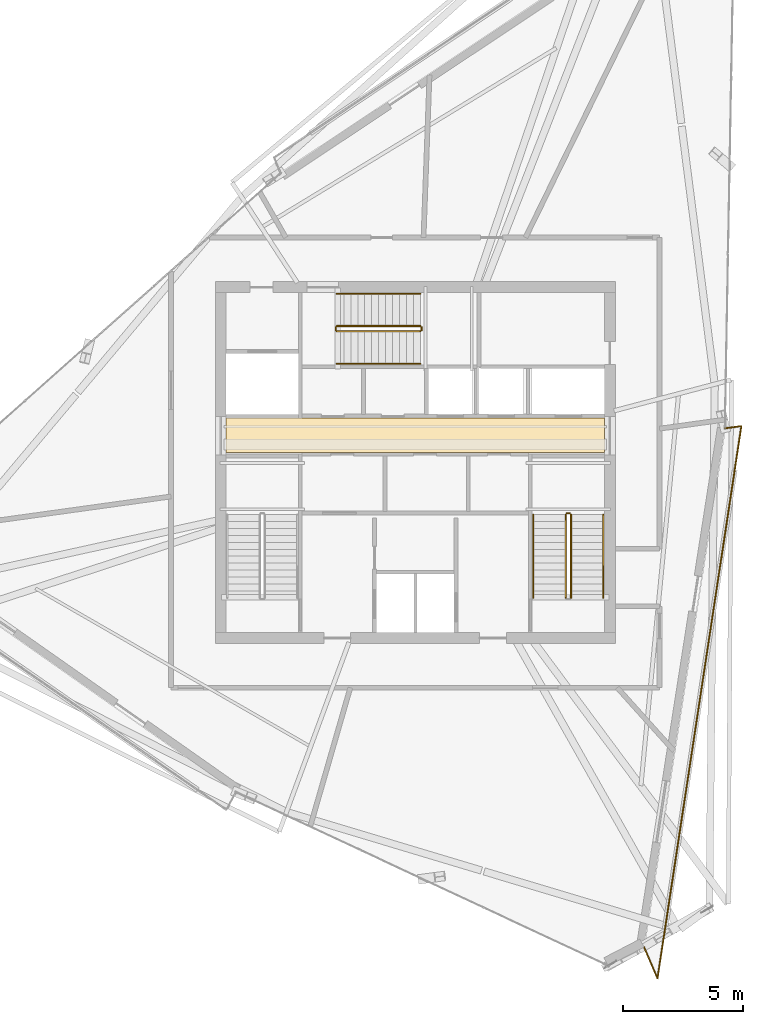
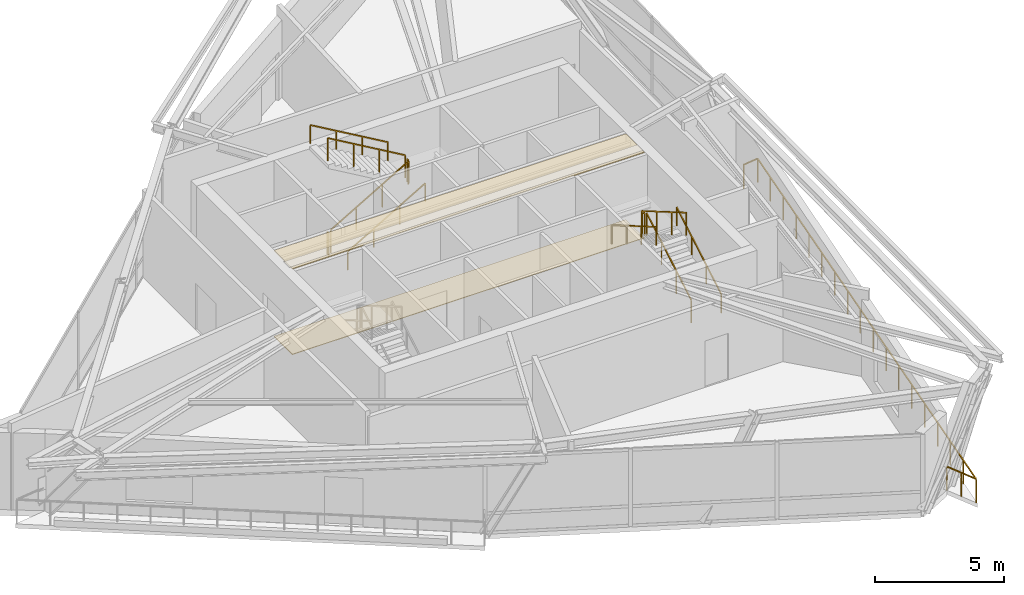
# One storey, part 21 of 22: 12 railings, 2 coverings.
"""IFC4 building model written with IfcOpenShell, lengths in metres."""

import ifcopenshell
import ifcopenshell.guid

model = None  # the IFC model being written
_history = None  # IfcOwnerHistory: only IFC2X3 demands one
_inside = {}  # id of a spatial element -> (the spatial element, [elements in it])
_under = {}  # id of a project, library or spatial element -> (it, [spatial elements below it])
_declared = {}  # id of a project -> (the project, [libraries it declares])
_typed = {}  # id of a type object -> (the type object, [elements of that type])
_made_of = {}  # id of a material, layer set ... -> (it, [elements and type objects made of it])


def new_model(schema):
    """Start an empty IFC model of exactly this schema.

    Asked for "IFC4X3", IfcOpenShell would pick the latest addendum, in which some entities
    have other attributes; the version numbers below select the first issue.
    IFC2X3 requires an IfcOwnerHistory on every rooted entity: one is made here for all.
    """
    global model, _history
    if schema == "IFC4X3":
        model = ifcopenshell.file(schema_version=(4, 3, 0, 0))
    else:
        model = ifcopenshell.file(schema=schema)
    _inside.clear()
    _under.clear()
    _declared.clear()
    _typed.clear()
    _made_of.clear()
    _history = None
    if model.schema == "IFC2X3":
        org = make("IfcOrganization", Name="unknown")
        user = make(
            "IfcPersonAndOrganization",
            ThePerson=make("IfcPerson", FamilyName="unknown"),
            TheOrganization=org,
        )
        app = make(
            "IfcApplication",
            ApplicationDeveloper=org,
            Version="unknown",
            ApplicationFullName="unknown",
            ApplicationIdentifier="unknown",
        )
        _history = make(
            "IfcOwnerHistory",
            OwningUser=user,
            OwningApplication=app,
            ChangeAction="ADDED",
            CreationDate=0,
        )
    return model


def make(cls, **values):
    """One entity of the class cls with the attributes given. An attribute that is None is left unset."""
    return model.create_entity(
        cls, **{name: value for name, value in values.items() if value is not None}
    )


def rooted(cls, **values):
    """An entity with a GlobalId (a new one), such as an element, a storey or a relation."""
    return make(cls, GlobalId=ifcopenshell.guid.new(), OwnerHistory=_history, **values)


def si_unit(unit_type, name, prefix=None):
    """IfcSIUnit, for example si_unit("LENGTHUNIT", "METRE", prefix="MILLI")."""
    return make("IfcSIUnit", UnitType=unit_type, Prefix=prefix, Name=name)


def assignment(units):
    """IfcUnitAssignment: the units of a project."""
    return None if units is None else make("IfcUnitAssignment", Units=units)


def point(xyz):
    """IfcCartesianPoint."""
    return None if xyz is None else make("IfcCartesianPoint", Coordinates=xyz)


def direction(xyz):
    """IfcDirection."""
    return None if xyz is None else make("IfcDirection", DirectionRatios=xyz)


def frame(location, z_axis=None, x_axis=None):
    """IfcAxis2Placement3D, a coordinate frame: its origin and axes. An axis left out is left unset."""
    return make(
        "IfcAxis2Placement3D",
        Location=point(location),
        Axis=direction(z_axis),
        RefDirection=direction(x_axis),
    )


def frame_2d(location, x_axis=None):
    """IfcAxis2Placement2D, a coordinate frame in the plane: its origin and x axis."""
    return make(
        "IfcAxis2Placement2D", Location=point(location), RefDirection=direction(x_axis)
    )


def origin():
    """The frame at (0, 0, 0) with its axes left unset."""
    return frame((0.0, 0.0, 0.0))


def origin_2d():
    """The frame at (0, 0) in the plane with its x axis left unset."""
    return frame_2d((0.0, 0.0))


def place(relative_to, where):
    """IfcLocalPlacement: puts the frame where relative to a parent placement (None: the world)."""
    return make(
        "IfcLocalPlacement", PlacementRelTo=relative_to, RelativePlacement=where
    )


def context(
    kind, dimensions, precision=None, world=None, true_north=None, identifier=None
):
    """IfcGeometricRepresentationContext, for example the 3D "Model" context."""
    return make(
        "IfcGeometricRepresentationContext",
        ContextIdentifier=identifier,
        ContextType=kind,
        CoordinateSpaceDimension=dimensions,
        Precision=precision,
        WorldCoordinateSystem=world,
        TrueNorth=true_north,
    )


def subcontext(parent, identifier, kind, view, scale=None):
    """IfcGeometricRepresentationSubContext, for example "Body" below "Model"."""
    return make(
        "IfcGeometricRepresentationSubContext",
        ContextIdentifier=identifier,
        ContextType=kind,
        ParentContext=parent,
        TargetScale=scale,
        TargetView=view,
    )


def project(units=None, contexts=None):
    """IfcProject with its units and contexts."""
    return rooted(
        "IfcProject",
        Name="project",
        RepresentationContexts=contexts,
        UnitsInContext=assignment(units),
    )


def spatial(cls, under=None, at=None, **own):
    """A site, building, storey or space (cls), placed at a placement, below another one or the project."""
    s = rooted(cls, ObjectPlacement=at, **own)
    if under is not None:
        _under.setdefault(under.id(), (under, []))[1].append(s)
    return s


def polyline(points):
    """IfcPolyline through the points."""
    return make("IfcPolyline", Points=[point(p) for p in points])


def profile(cls, at=None, kind="AREA", **sizes):
    """A parametric profile (cls). Its sizes go by their IFC names, for example OverallWidth=200.0."""
    return make(cls, ProfileType=kind, Position=at, **sizes)


def rectangle(**sizes):
    """IfcRectangleProfileDef."""
    return profile("IfcRectangleProfileDef", **sizes)


def outline(outer, holes=None, kind="AREA"):
    """IfcArbitraryClosedProfileDef: a profile drawn as a closed curve; with holes, ...WithVoids."""
    if holes is None:
        return make("IfcArbitraryClosedProfileDef", ProfileType=kind, OuterCurve=outer)
    return make(
        "IfcArbitraryProfileDefWithVoids",
        ProfileType=kind,
        OuterCurve=outer,
        InnerCurves=holes,
    )


def extrude(swept, where, along, depth):
    """IfcExtrudedAreaSolid: the profile swept, set in the frame where, extruded along a direction by depth."""
    return make(
        "IfcExtrudedAreaSolid",
        SweptArea=swept,
        Position=where,
        ExtrudedDirection=direction(along),
        Depth=depth,
    )


def shape(context_of_items, identifier, shape_type, items):
    """IfcShapeRepresentation: the items that make up one representation, for example the "Body"."""
    return make(
        "IfcShapeRepresentation",
        ContextOfItems=context_of_items,
        RepresentationIdentifier=identifier,
        RepresentationType=shape_type,
        Items=items,
    )


def material(Name=None, Category=None):
    """IfcMaterial."""
    return make("IfcMaterial", Name=Name, Category=Category)


def layer(
    of_material, thickness, ventilated=None, Name=None, Category=None, Priority=None
):
    """IfcMaterialLayer: one layer of a wall or slab, of a material (None: an air gap)."""
    return make(
        "IfcMaterialLayer",
        Material=of_material,
        LayerThickness=thickness,
        IsVentilated=ventilated,
        Name=Name,
        Category=Category,
        Priority=Priority,
    )


def layer_set(layers, Name=None):
    """IfcMaterialLayerSet."""
    return make("IfcMaterialLayerSet", MaterialLayers=layers, LayerSetName=Name)


def made_of(thing, what):
    """Note that an element or type object is made of a material, layer set ...; save() writes the relation."""
    if what is not None:
        _made_of.setdefault(what.id(), (what, []))[1].append(thing)
    return thing


def type_object(cls, material=None, **own):
    """A type object (cls), such as IfcWallType, which elements share."""
    return made_of(rooted(cls, **own), material)


def element(
    cls,
    number,
    at=None,
    inside=None,
    cuts=None,
    type_object=None,
    material=None,
    context=None,
    identifier="Body",
    shape_type=None,
    held_by="IfcProductDefinitionShape",
    body=None,
    shapes=None,
    **own,
):
    """One element of the class cls, such as IfcWall. Its Tag is "e" and its number.

    at: its placement. inside: the storey or other place that contains it. cuts: it is an
    opening in that element (IfcRelVoidsElement). A single representation is given by context,
    identifier, shape_type and body (its items); several are given by shapes. held_by: the class
    of the entity that holds the representations. save() writes the other relations.
    """
    e = rooted(cls, Tag="e%d" % number, ObjectPlacement=at, **own)
    if body is not None:
        shapes = [shape(context, identifier, shape_type, body)]
    if shapes is not None:
        e.Representation = make(held_by, Representations=shapes)
    if inside is not None:
        _inside.setdefault(inside.id(), (inside, []))[1].append(e)
    if cuts is not None:
        rooted(
            "IfcRelVoidsElement", RelatingBuildingElement=cuts, RelatedOpeningElement=e
        )
    if type_object is not None:
        _typed.setdefault(type_object.id(), (type_object, []))[1].append(e)
    return made_of(e, material)


def aggregate(whole, parts):
    """IfcRelAggregates: a whole, such as a stair, and the parts it consists of."""
    return rooted("IfcRelAggregates", RelatingObject=whole, RelatedObjects=parts)


def save(model, path):
    """Write the relations noted so far, then the file.

    IfcRelAggregates (storeys below a building ...), IfcRelContainedInSpatialStructure (elements
    in a storey), IfcRelDefinesByType, IfcRelAssociatesMaterial and IfcRelDeclares: one each for
    every whole, place, type object, material and project.
    """
    for whole, parts in _under.values():
        aggregate(whole, parts)
    for where, things in _inside.values():
        rooted(
            "IfcRelContainedInSpatialStructure",
            RelatedElements=things,
            RelatingStructure=where,
        )
    for kind, things in _typed.values():
        rooted("IfcRelDefinesByType", RelatedObjects=things, RelatingType=kind)
    for what, things in _made_of.values():
        rooted("IfcRelAssociatesMaterial", RelatedObjects=things, RelatingMaterial=what)
    for by, libraries in _declared.values():
        rooted("IfcRelDeclares", RelatingContext=by, RelatedDefinitions=libraries)
    model.write(path)


model = new_model("IFC4")

# Units and contexts
model_context = context("Model", 3, precision=1e-05, world=origin(), true_north=direction((0.0, 1.0)))
body_context = subcontext(model_context, "Body", "Model", "MODEL_VIEW")
ifc_project = project(units=[si_unit("LENGTHUNIT", "METRE"), si_unit("AREAUNIT", "SQUARE_METRE"), si_unit("VOLUMEUNIT", "CUBIC_METRE"), si_unit("PLANEANGLEUNIT", "RADIAN"), si_unit("MASSUNIT", "GRAM", prefix="KILO")], contexts=[model_context])

# Site, building, storey
site_placement = place(None, origin())
site = spatial("IfcSite", under=ifc_project, at=site_placement, CompositionType="ELEMENT")
building_placement = place(site_placement, origin())
building = spatial("IfcBuilding", under=site, at=building_placement, Name="Olszyna Solenne Hotel", CompositionType="ELEMENT")
storey_placement = place(building_placement, frame((0.0, 0.0, 286.10009765625)))
storey = spatial("IfcBuildingStorey", under=building, at=storey_placement, Name="L76", CompositionType="ELEMENT", Elevation=286.10009765625)

# Coverings
ifc_material_1 = material(Name="Mineral wool acoustic ceiling")
ifc_layer_1 = layer(ifc_material_1, 0.0400390625, Name="Mineral wool acoustic ceiling")
ifc_layer_set_1 = layer_set([ifc_layer_1], Name="Mineral wool acoustic ceiling")
covering_type_1 = type_object("IfcCoveringType", Name="CL-AC1", PredefinedType="CEILING", material=ifc_layer_set_1)
covering_1_placement = place(storey_placement, frame((0.0, 0.0, 4.059814453125)))
element("IfcCovering", 1, at=covering_1_placement, inside=storey, type_object=covering_type_1, Name="Lift lobby acoustic tile ceiling CL-L76-01", PredefinedType="CEILING", context=body_context, shape_type="SweptSolid", body=[
    extrude(outline(polyline([(30.10009765625, 27.030029296875), (45.89990234375, 27.030029296875), (45.89990234375, 28.4599609375), (30.10009765625, 28.4599609375), (30.10009765625, 27.030029296875)])), origin(), (0.0, 0.0, 1.0), 0.0400390625),
])
ifc_material_2 = material(Name="Ceramic floor tile")
ifc_layer_2 = layer(ifc_material_2, 0.030029296875, Name="Ceramic floor tile")
ifc_layer_set_2 = layer_set([ifc_layer_2], Name="Ceramic floor tile")
covering_type_2 = type_object("IfcCoveringType", Name="FL-TL1", PredefinedType="FLOORING", material=ifc_layer_set_2)
covering_2_placement = place(storey_placement, origin())
element("IfcCovering", 2, at=covering_2_placement, inside=storey, type_object=covering_type_2, Name="Lift lobby stoneware floor finish FLR-L76-01", PredefinedType="FLOORING", context=body_context, shape_type="SweptSolid", body=[
    extrude(outline(polyline([(30.10009765625, 27.030029296875), (45.89990234375, 27.030029296875), (45.89990234375, 28.4599609375), (30.10009765625, 28.4599609375), (30.10009765625, 27.030029296875)])), origin(), (0.0, 0.0, 1.0), 0.02978515625),
])

# Railings
ifc_material_3 = material(Name="Anodised bronze aluminium", Category="aluminium")
railing_type_1 = type_object("IfcRailingType", Name="GR-110", PredefinedType="BALUSTRADE", material=ifc_material_3)
railing_1_placement = place(storey_placement, frame((47.55029296875, 6.36767578125, 0.0)))
element("IfcRailing", 3, at=railing_1_placement, inside=storey, type_object=railing_type_1, Name="Loggia balcony balustrade guard GR-L76-LG3", PredefinedType="BALUSTRADE", context=body_context, shape_type="SweptSolid", body=[
    extrude(rectangle(XDim=0.048095703125, YDim=0.048095703125, at=origin_2d()), frame((0.0, 0.0, 1.1259765625), z_axis=(0.396534917553, -0.918019639856, 0.0), x_axis=(0.918019639856, 0.396534917553, 0.0)), (0.0, 0.0, 1.0), 1.41845703125),
    extrude(rectangle(XDim=0.048095703125, YDim=0.048095703125, at=origin_2d()), frame((0.5625, -1.30224609375, 1.1259765625), z_axis=(0.15018554572, 0.988657828501, 0.0), x_axis=(-0.988657828501, 0.15018554572, 0.0)), (0.0, 0.0, 1.0), 23.322509765625),
    extrude(rectangle(XDim=0.048095703125, YDim=0.048095703125, at=origin_2d()), frame((4.065185546875, 21.755615234375, 1.1259765625), z_axis=(-0.990856009296, -0.13492356667, 0.0), x_axis=(0.13492356667, -0.990856009296, 0.0)), (0.0, 0.0, 1.0), 0.689453125),
    extrude(rectangle(XDim=0.0419921875, YDim=0.0419921875, at=origin_2d()), origin(), (0.0, 0.0, 1.0), 1.101806640625),
    extrude(rectangle(XDim=0.0419921875, YDim=0.0419921875, at=origin_2d()), frame((0.28125, -0.651123046875, 0.0)), (0.0, 0.0, 1.0), 1.101806640625),
    extrude(rectangle(XDim=0.0419921875, YDim=0.0419921875, at=origin_2d()), frame((0.5625, -1.30224609375, 0.0)), (0.0, 0.0, 1.0), 1.101806640625),
    extrude(rectangle(XDim=0.0419921875, YDim=0.0419921875, at=origin_2d()), frame((0.7685546875, 0.05419921875, 0.0)), (0.0, 0.0, 1.0), 1.101806640625),
    extrude(rectangle(XDim=0.0419921875, YDim=0.0419921875, at=origin_2d()), frame((0.974609375, 1.410400390625, 0.0)), (0.0, 0.0, 1.0), 1.101806640625),
    extrude(rectangle(XDim=0.0419921875, YDim=0.0419921875, at=origin_2d()), frame((1.1806640625, 2.766845703125, 0.0)), (0.0, 0.0, 1.0), 1.101806640625),
    extrude(rectangle(XDim=0.0419921875, YDim=0.0419921875, at=origin_2d()), frame((1.38671875, 4.123046875, 0.0)), (0.0, 0.0, 1.0), 1.101806640625),
    extrude(rectangle(XDim=0.0419921875, YDim=0.0419921875, at=origin_2d()), frame((1.5927734375, 5.4794921875, 0.0)), (0.0, 0.0, 1.0), 1.101806640625),
    extrude(rectangle(XDim=0.0419921875, YDim=0.0419921875, at=origin_2d()), frame((1.798828125, 6.8359375, 0.0)), (0.0, 0.0, 1.0), 1.101806640625),
    extrude(rectangle(XDim=0.0419921875, YDim=0.0419921875, at=origin_2d()), frame((2.0048828125, 8.192138671875, 0.0)), (0.0, 0.0, 1.0), 1.101806640625),
    extrude(rectangle(XDim=0.0419921875, YDim=0.0419921875, at=origin_2d()), frame((2.2109375, 9.548583984375, 0.0)), (0.0, 0.0, 1.0), 1.101806640625),
    extrude(rectangle(XDim=0.0419921875, YDim=0.0419921875, at=origin_2d()), frame((2.416748046875, 10.90478515625, 0.0)), (0.0, 0.0, 1.0), 1.101806640625),
    extrude(rectangle(XDim=0.0419921875, YDim=0.0419921875, at=origin_2d()), frame((2.622802734375, 12.26123046875, 0.0)), (0.0, 0.0, 1.0), 1.101806640625),
    extrude(rectangle(XDim=0.0419921875, YDim=0.0419921875, at=origin_2d()), frame((2.828857421875, 13.617431640625, 0.0)), (0.0, 0.0, 1.0), 1.101806640625),
    extrude(rectangle(XDim=0.0419921875, YDim=0.0419921875, at=origin_2d()), frame((3.034912109375, 14.973876953125, 0.0)), (0.0, 0.0, 1.0), 1.101806640625),
    extrude(rectangle(XDim=0.0419921875, YDim=0.0419921875, at=origin_2d()), frame((3.240966796875, 16.330322265625, 0.0)), (0.0, 0.0, 1.0), 1.101806640625),
    extrude(rectangle(XDim=0.0419921875, YDim=0.0419921875, at=origin_2d()), frame((3.447021484375, 17.6865234375, 0.0)), (0.0, 0.0, 1.0), 1.101806640625),
    extrude(rectangle(XDim=0.0419921875, YDim=0.0419921875, at=origin_2d()), frame((3.653076171875, 19.04296875, 0.0)), (0.0, 0.0, 1.0), 1.101806640625),
    extrude(rectangle(XDim=0.0419921875, YDim=0.0419921875, at=origin_2d()), frame((3.859130859375, 20.399169921875, 0.0)), (0.0, 0.0, 1.0), 1.101806640625),
    extrude(rectangle(XDim=0.0419921875, YDim=0.0419921875, at=origin_2d()), frame((4.065185546875, 21.755615234375, 0.0)), (0.0, 0.0, 1.0), 1.101806640625),
    extrude(rectangle(XDim=0.0419921875, YDim=0.0419921875, at=origin_2d()), frame((3.382080078125, 21.66259765625, 0.0)), (0.0, 0.0, 1.0), 1.101806640625),
])
railing_2_placement = place(storey_placement, frame((44.5, 20.949951171875, 0.169189453125)))
element("IfcRailing", 4, at=railing_2_placement, inside=storey, type_object=railing_type_1, Name="L76 ST2 stair guard 1", PredefinedType="BALUSTRADE", context=body_context, shape_type="SweptSolid", body=[
    extrude(rectangle(XDim=0.048095703125, YDim=0.048095703125, at=origin_2d()), frame((0.0, 0.0, 1.076171875), z_axis=(0.0, 0.863695377172, 0.504014181796), x_axis=(-1.0, 0.0, 0.0)), (0.0, 0.0, 1.0), 4.029296875),
    extrude(rectangle(XDim=0.0419921875, YDim=0.0419921875, at=origin_2d()), origin(), (0.0, 0.0, 1.0), 1.052001953125),
    extrude(rectangle(XDim=0.0419921875, YDim=0.0419921875, at=origin_2d()), frame((0.0, 1.159912109375, 0.677001953125)), (0.0, 0.0, 1.0), 1.052001953125),
    extrude(rectangle(XDim=0.0419921875, YDim=0.0419921875, at=origin_2d()), frame((0.0, 2.320068359375, 1.353759765625)), (0.0, 0.0, 1.0), 1.052001953125),
    extrude(rectangle(XDim=0.0419921875, YDim=0.0419921875, at=origin_2d()), frame((0.0, 3.47998046875, 2.03076171875)), (0.0, 0.0, 1.0), 1.052001953125),
])
railing_3_placement = place(storey_placement, frame((44.449951171875, 24.47998046875, 2.199951171875)))
element("IfcRailing", 5, at=railing_3_placement, inside=storey, type_object=railing_type_1, Name="L76 ST2 stair guard 2", PredefinedType="BALUSTRADE", context=body_context, shape_type="SweptSolid", body=[
    extrude(rectangle(XDim=0.048095703125, YDim=0.048095703125, at=origin_2d()), frame((0.0, 0.0, 1.076171875), z_axis=(-1.0, 0.0, 0.0), x_axis=(0.0, -1.0, 0.0)), (0.0, 0.0, 1.0), 0.119873046875),
    extrude(rectangle(XDim=0.0419921875, YDim=0.0419921875, at=origin_2d()), origin(), (0.0, 0.0, 1.0), 1.052001953125),
    extrude(rectangle(XDim=0.0419921875, YDim=0.0419921875, at=origin_2d()), frame((-0.119873046875, 0.0, 0.0)), (0.0, 0.0, 1.0), 1.052001953125),
])
railing_4_placement = place(storey_placement, frame((44.280029296875, 24.429931640625, 2.369140625)))
element("IfcRailing", 6, at=railing_4_placement, inside=storey, type_object=railing_type_1, Name="L76 ST2 stair guard 3", PredefinedType="BALUSTRADE", context=body_context, shape_type="SweptSolid", body=[
    extrude(rectangle(XDim=0.048095703125, YDim=0.048095703125, at=origin_2d()), frame((0.0, 0.0, 1.076171875), z_axis=(0.0, -0.863695377172, 0.504014181796), x_axis=(1.0, 0.0, 0.0)), (0.0, 0.0, 1.0), 4.029296875),
    extrude(rectangle(XDim=0.0419921875, YDim=0.0419921875, at=origin_2d()), origin(), (0.0, 0.0, 1.0), 1.052001953125),
    extrude(rectangle(XDim=0.0419921875, YDim=0.0419921875, at=origin_2d()), frame((0.0, -1.159912109375, 0.677001953125)), (0.0, 0.0, 1.0), 1.052001953125),
    extrude(rectangle(XDim=0.0419921875, YDim=0.0419921875, at=origin_2d()), frame((0.0, -2.320068359375, 1.353759765625)), (0.0, 0.0, 1.0), 1.052001953125),
    extrude(rectangle(XDim=0.0419921875, YDim=0.0419921875, at=origin_2d()), frame((0.0, -3.47998046875, 2.03076171875)), (0.0, 0.0, 1.0), 1.052001953125),
])
railing_5_placement = place(storey_placement, frame((34.72998046875, 32.080078125, 0.169189453125)))
element("IfcRailing", 7, at=railing_5_placement, inside=storey, type_object=railing_type_1, Name="L76 ST3 stair guard 1", PredefinedType="BALUSTRADE", context=body_context, shape_type="SweptSolid", body=[
    extrude(rectangle(XDim=0.048095703125, YDim=0.048095703125, at=origin_2d()), frame((0.0, 0.0, 1.076171875), z_axis=(0.863695377172, 0.0, 0.504014181796), x_axis=(0.0, 1.0, 0.0)), (0.0, 0.0, 1.0), 4.029296875),
    extrude(rectangle(XDim=0.0419921875, YDim=0.0419921875, at=origin_2d()), origin(), (0.0, 0.0, 1.0), 1.052001953125),
    extrude(rectangle(XDim=0.0419921875, YDim=0.0419921875, at=origin_2d()), frame((1.159912109375, 0.0, 0.677001953125)), (0.0, 0.0, 1.0), 1.052001953125),
    extrude(rectangle(XDim=0.0419921875, YDim=0.0419921875, at=origin_2d()), frame((2.320068359375, 0.0, 1.353759765625)), (0.0, 0.0, 1.0), 1.052001953125),
    extrude(rectangle(XDim=0.0419921875, YDim=0.0419921875, at=origin_2d()), frame((3.47998046875, 0.0, 2.03076171875)), (0.0, 0.0, 1.0), 1.052001953125),
])
railing_6_placement = place(storey_placement, frame((38.260009765625, 32.1298828125, 2.199951171875)))
element("IfcRailing", 8, at=railing_6_placement, inside=storey, type_object=railing_type_1, Name="L76 ST3 stair guard 2", PredefinedType="BALUSTRADE", context=body_context, shape_type="SweptSolid", body=[
    extrude(rectangle(XDim=0.048095703125, YDim=0.048095703125, at=origin_2d()), frame((0.0, 0.0, 1.076171875), z_axis=(0.0, 1.0, 0.0), x_axis=(-1.0, 0.0, 0.0)), (0.0, 0.0, 1.0), 0.1201171875),
    extrude(rectangle(XDim=0.0419921875, YDim=0.0419921875, at=origin_2d()), origin(), (0.0, 0.0, 1.0), 1.052001953125),
    extrude(rectangle(XDim=0.0419921875, YDim=0.0419921875, at=origin_2d()), frame((0.0, 0.1201171875, 0.0)), (0.0, 0.0, 1.0), 1.052001953125),
])
railing_7_placement = place(storey_placement, frame((38.2099609375, 32.300048828125, 2.369140625)))
element("IfcRailing", 9, at=railing_7_placement, inside=storey, type_object=railing_type_1, Name="L76 ST3 stair guard 3", PredefinedType="BALUSTRADE", context=body_context, shape_type="SweptSolid", body=[
    extrude(rectangle(XDim=0.048095703125, YDim=0.048095703125, at=origin_2d()), frame((0.0, 0.0, 1.076171875), z_axis=(-0.863695377172, 0.0, 0.504014181796), x_axis=(0.0, -1.0, 0.0)), (0.0, 0.0, 1.0), 4.029296875),
    extrude(rectangle(XDim=0.0419921875, YDim=0.0419921875, at=origin_2d()), origin(), (0.0, 0.0, 1.0), 1.052001953125),
    extrude(rectangle(XDim=0.0419921875, YDim=0.0419921875, at=origin_2d()), frame((-1.159912109375, 0.0, 0.677001953125)), (0.0, 0.0, 1.0), 1.052001953125),
    extrude(rectangle(XDim=0.0419921875, YDim=0.0419921875, at=origin_2d()), frame((-2.320068359375, 0.0, 1.353759765625)), (0.0, 0.0, 1.0), 1.052001953125),
    extrude(rectangle(XDim=0.0419921875, YDim=0.0419921875, at=origin_2d()), frame((-3.47998046875, 0.0, 2.03076171875)), (0.0, 0.0, 1.0), 1.052001953125),
])
railing_8_placement = place(storey_placement, frame((34.679931640625, 32.1298828125, 0.0)))
element("IfcRailing", 10, at=railing_8_placement, inside=storey, type_object=railing_type_1, Name="L76 ST3 stair guard 4", PredefinedType="BALUSTRADE", context=body_context, shape_type="SweptSolid", body=[
    extrude(rectangle(XDim=0.048095703125, YDim=0.048095703125, at=origin_2d()), frame((0.0, 0.0, 1.076171875), z_axis=(0.0, 1.0, 0.0), x_axis=(-1.0, 0.0, 0.0)), (0.0, 0.0, 1.0), 0.1201171875),
    extrude(rectangle(XDim=0.0419921875, YDim=0.0419921875, at=origin_2d()), origin(), (0.0, 0.0, 1.0), 1.052001953125),
    extrude(rectangle(XDim=0.0419921875, YDim=0.0419921875, at=origin_2d()), frame((0.0, 0.1201171875, 0.0)), (0.0, 0.0, 1.0), 1.052001953125),
])
ifc_material_4 = material(Name="Steel S355J2", Category="steel")
railing_type_2 = type_object("IfcRailingType", Name="HR-090", PredefinedType="HANDRAIL", material=ifc_material_4)
railing_9_placement = place(storey_placement, frame((45.85009765625, 20.949951171875, 0.169189453125)))
element("IfcRailing", 11, at=railing_9_placement, inside=storey, type_object=railing_type_2, Name="L76 ST2 stair handrail 1", PredefinedType="HANDRAIL", context=body_context, shape_type="SweptSolid", body=[
    extrude(rectangle(XDim=0.048095703125, YDim=0.048095703125, at=origin_2d()), frame((0.0, 0.0, 0.8759765625), z_axis=(0.0, 0.863695377172, 0.504014181796), x_axis=(-1.0, 0.0, 0.0)), (0.0, 0.0, 1.0), 4.029296875),
    extrude(rectangle(XDim=0.0419921875, YDim=0.0419921875, at=origin_2d()), origin(), (0.0, 0.0, 1.0), 0.851806640625),
    extrude(rectangle(XDim=0.0419921875, YDim=0.0419921875, at=origin_2d()), frame((0.0, 1.159912109375, 0.677001953125)), (0.0, 0.0, 1.0), 0.851806640625),
    extrude(rectangle(XDim=0.0419921875, YDim=0.0419921875, at=origin_2d()), frame((0.0, 2.320068359375, 1.353759765625)), (0.0, 0.0, 1.0), 0.851806640625),
    extrude(rectangle(XDim=0.0419921875, YDim=0.0419921875, at=origin_2d()), frame((0.0, 3.47998046875, 2.03076171875)), (0.0, 0.0, 1.0), 0.851806640625),
])
railing_10_placement = place(storey_placement, frame((42.929931640625, 24.429931640625, 2.369140625)))
element("IfcRailing", 12, at=railing_10_placement, inside=storey, type_object=railing_type_2, Name="L76 ST2 stair handrail 2", PredefinedType="HANDRAIL", context=body_context, shape_type="SweptSolid", body=[
    extrude(rectangle(XDim=0.048095703125, YDim=0.048095703125, at=origin_2d()), frame((0.0, 0.0, 0.8759765625), z_axis=(0.0, -0.863695377172, 0.504014181796), x_axis=(1.0, 0.0, 0.0)), (0.0, 0.0, 1.0), 4.029296875),
    extrude(rectangle(XDim=0.0419921875, YDim=0.0419921875, at=origin_2d()), origin(), (0.0, 0.0, 1.0), 0.851806640625),
    extrude(rectangle(XDim=0.0419921875, YDim=0.0419921875, at=origin_2d()), frame((0.0, -1.159912109375, 0.677001953125)), (0.0, 0.0, 1.0), 0.851806640625),
    extrude(rectangle(XDim=0.0419921875, YDim=0.0419921875, at=origin_2d()), frame((0.0, -2.320068359375, 1.353759765625)), (0.0, 0.0, 1.0), 0.851806640625),
    extrude(rectangle(XDim=0.0419921875, YDim=0.0419921875, at=origin_2d()), frame((0.0, -3.47998046875, 2.03076171875)), (0.0, 0.0, 1.0), 0.851806640625),
])
railing_11_placement = place(storey_placement, frame((34.72998046875, 30.72998046875, 0.169189453125)))
element("IfcRailing", 13, at=railing_11_placement, inside=storey, type_object=railing_type_2, Name="L76 ST3 stair handrail 1", PredefinedType="HANDRAIL", context=body_context, shape_type="SweptSolid", body=[
    extrude(rectangle(XDim=0.048095703125, YDim=0.048095703125, at=origin_2d()), frame((0.0, 0.0, 0.8759765625), z_axis=(0.863695377172, 0.0, 0.504014181796), x_axis=(0.0, 1.0, 0.0)), (0.0, 0.0, 1.0), 4.029296875),
    extrude(rectangle(XDim=0.0419921875, YDim=0.0419921875, at=origin_2d()), origin(), (0.0, 0.0, 1.0), 0.851806640625),
    extrude(rectangle(XDim=0.0419921875, YDim=0.0419921875, at=origin_2d()), frame((1.159912109375, 0.0, 0.677001953125)), (0.0, 0.0, 1.0), 0.851806640625),
    extrude(rectangle(XDim=0.0419921875, YDim=0.0419921875, at=origin_2d()), frame((2.320068359375, 0.0, 1.353759765625)), (0.0, 0.0, 1.0), 0.851806640625),
    extrude(rectangle(XDim=0.0419921875, YDim=0.0419921875, at=origin_2d()), frame((3.47998046875, 0.0, 2.03076171875)), (0.0, 0.0, 1.0), 0.851806640625),
])
railing_12_placement = place(storey_placement, frame((38.2099609375, 33.64990234375, 2.369140625)))
element("IfcRailing", 14, at=railing_12_placement, inside=storey, type_object=railing_type_2, Name="L76 ST3 stair handrail 2", PredefinedType="HANDRAIL", context=body_context, shape_type="SweptSolid", body=[
    extrude(rectangle(XDim=0.048095703125, YDim=0.048095703125, at=origin_2d()), frame((0.0, 0.0, 0.8759765625), z_axis=(-0.863695377172, 0.0, 0.504014181796), x_axis=(0.0, -1.0, 0.0)), (0.0, 0.0, 1.0), 4.029296875),
    extrude(rectangle(XDim=0.0419921875, YDim=0.0419921875, at=origin_2d()), origin(), (0.0, 0.0, 1.0), 0.851806640625),
    extrude(rectangle(XDim=0.0419921875, YDim=0.0419921875, at=origin_2d()), frame((-1.159912109375, 0.0, 0.677001953125)), (0.0, 0.0, 1.0), 0.851806640625),
    extrude(rectangle(XDim=0.0419921875, YDim=0.0419921875, at=origin_2d()), frame((-2.320068359375, 0.0, 1.353759765625)), (0.0, 0.0, 1.0), 0.851806640625),
    extrude(rectangle(XDim=0.0419921875, YDim=0.0419921875, at=origin_2d()), frame((-3.47998046875, 0.0, 2.03076171875)), (0.0, 0.0, 1.0), 0.851806640625),
])

save(model, "model.ifc")
